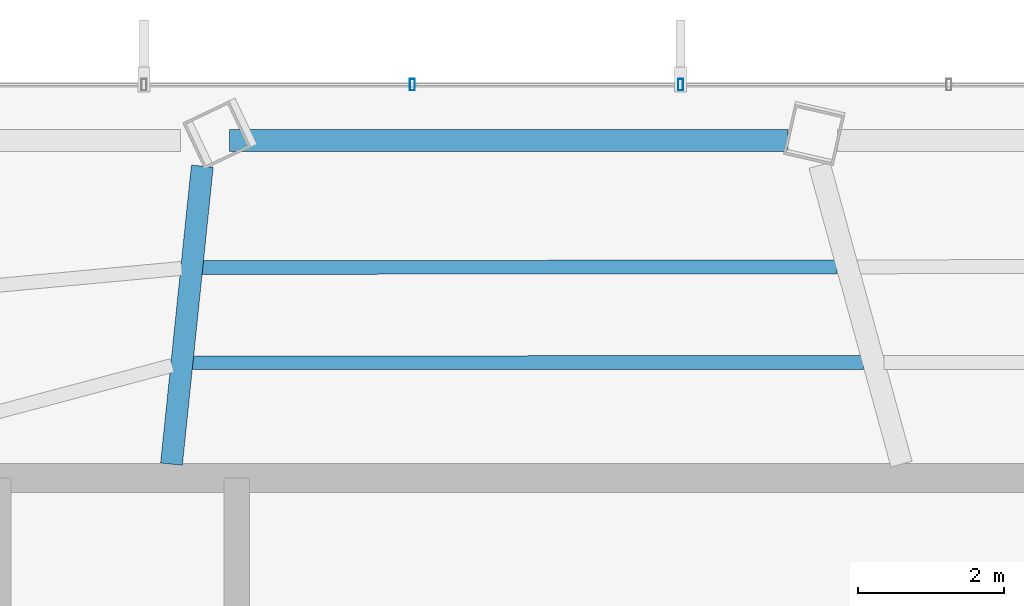
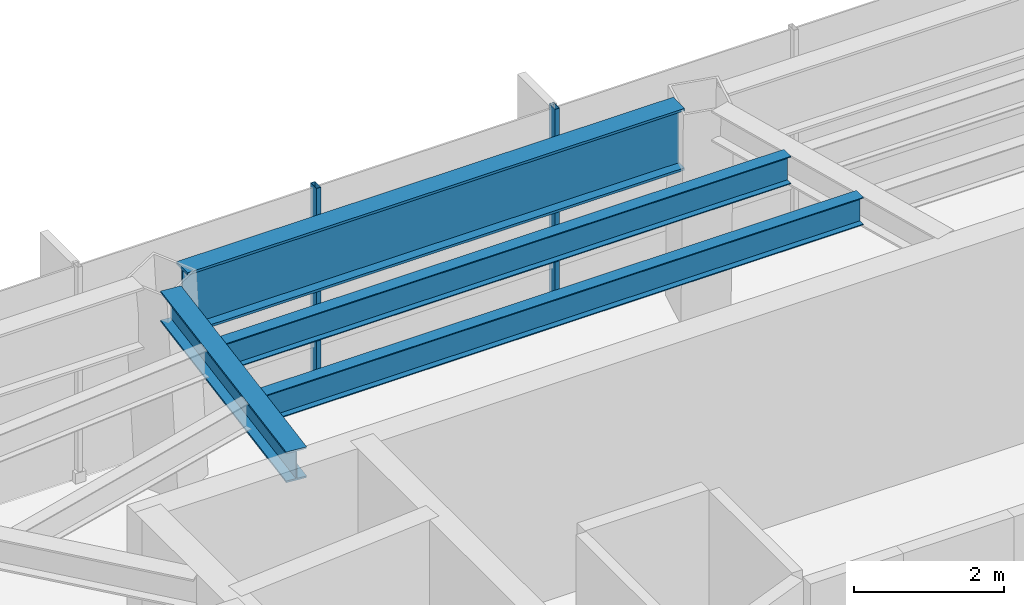
# One storey, part 13 of 27: 4 beams, 2 members, 1 element without a shape of its own.
"""IFC4 building model written with IfcOpenShell, lengths in metres."""

from ifc_helpers import new_model, si_unit, direction, frame, origin, origin_2d, place, context, subcontext, project, spatial, hollow_rectangle, i_section, extrude, material, layer, layer_set, material_profile, profile_set, type_object, element, aggregate, save


model = new_model("IFC4")

# Units and contexts
model_context = context("Model", 3, precision=1e-05, world=origin(), true_north=direction((0.0, 1.0)))
body_context = subcontext(model_context, "Body", "Model", "MODEL_VIEW")
ifc_project = project(units=[si_unit("LENGTHUNIT", "METRE"), si_unit("AREAUNIT", "SQUARE_METRE"), si_unit("VOLUMEUNIT", "CUBIC_METRE"), si_unit("PLANEANGLEUNIT", "RADIAN"), si_unit("MASSUNIT", "GRAM", prefix="KILO")], contexts=[model_context])

# Site, building, storey
site_placement = place(None, origin())
site = spatial("IfcSite", under=ifc_project, at=site_placement, CompositionType="ELEMENT")
building_placement = place(site_placement, origin())
building = spatial("IfcBuilding", under=site, at=building_placement, Name="Zarrinselat Tower", CompositionType="ELEMENT")
storey_placement = place(building_placement, frame((0.0, 0.0, 172.0400390625)))
storey = spatial("IfcBuildingStorey", under=building, at=storey_placement, Name="L42", CompositionType="ELEMENT", Elevation=172.0400390625)

# Beams
ifc_material_1 = material(Name="Steel S355J2", Category="steel")
ifc_material_profile_1 = material_profile(ifc_material_1, i_section(OverallWidth=0.300048828125, OverallDepth=0.5, WebThickness=0.014404296875, FlangeThickness=0.028076171875, at=origin_2d()), Name="HEB 500")
ifc_profile_set_1 = profile_set([ifc_material_profile_1], Name="Steel S355J2")
beam_type_1 = type_object("IfcBeamType", Name="BM-HEB500", PredefinedType="BEAM", material=ifc_profile_set_1)
beam_1_placement = place(storey_placement, frame((31.0, 43.639892578125, 3.25), z_axis=(0.102913358087, 0.994690324034, 0.0), x_axis=(-0.994690324034, 0.102913358087, 0.0)))
element("IfcBeam", 1, at=beam_1_placement, inside=storey, type_object=beam_type_1, Name="L42 Radial Primary Girder RG04", PredefinedType="BEAM", context=body_context, shape_type="SweptSolid", body=[
    extrude(i_section(OverallWidth=0.300048828125, OverallDepth=0.5, WebThickness=0.014404296875, FlangeThickness=0.028076171875, at=origin_2d()), origin(), (0.0, 0.0, 1.0), 4.10400390625),
])
ifc_material_2 = material(Name="Steel S460M", Category="steel")
ifc_material_profile_2 = material_profile(ifc_material_2, i_section(OverallWidth=0.302001953125, OverallDepth=1.008056640625, WebThickness=0.02099609375, FlangeThickness=0.0400390625, at=origin_2d()), Name="HEM 1000")
ifc_profile_set_2 = profile_set([ifc_material_profile_2], Name="Steel S460M")
beam_type_2 = type_object("IfcBeamType", Name="BM-HEM1000", PredefinedType="BEAM", material=ifc_profile_set_2)
beam_2_placement = place(storey_placement, frame((31.796630859375, 48.072265625, 2.995849609375), z_axis=(1.0, 0.0, 0.0), x_axis=(0.0, 1.0, 0.0)))
element("IfcBeam", 2, at=beam_2_placement, inside=storey, type_object=beam_type_2, Name="L42 Perimeter Spandrel Girder SP03", PredefinedType="BEAM", context=body_context, shape_type="SweptSolid", body=[
    extrude(i_section(OverallWidth=0.302001953125, OverallDepth=1.008056640625, WebThickness=0.02099609375, FlangeThickness=0.0400390625, at=origin_2d()), origin(), (0.0, 0.0, 1.0), 7.649658203125),
])
ifc_material_3 = material(Name="Steel S355J2", Category="steel")
ifc_material_profile_3 = material_profile(ifc_material_3, i_section(OverallWidth=0.18994140625, OverallDepth=0.449951171875, WebThickness=0.009521484375, FlangeThickness=0.0146484375, at=origin_2d()), Name="IPE 450")
ifc_profile_set_3 = profile_set([ifc_material_profile_3], Name="Steel S355J2")
beam_type_3 = type_object("IfcBeamType", Name="BM-IPE450", PredefinedType="JOIST", material=ifc_profile_set_3)
beam_3_placement = place(storey_placement, frame((31.418701171875, 46.334228515625, 3.27490234375), z_axis=(0.999999691338, 0.000785700013, 0.0), x_axis=(-0.000785700013, 0.999999691338, 0.0)))
element("IfcBeam", 3, at=beam_3_placement, inside=storey, type_object=beam_type_3, Name="L42 Composite Floor Joist 8-1", PredefinedType="JOIST", context=body_context, shape_type="SweptSolid", body=[
    extrude(i_section(OverallWidth=0.18994140625, OverallDepth=0.449951171875, WebThickness=0.009521484375, FlangeThickness=0.0146484375, at=origin_2d()), origin(), (0.0, 0.0, 1.0), 8.700439453125),
])
beam_4_placement = place(storey_placement, frame((31.28369140625, 45.028076171875, 3.27490234375), z_axis=(0.999999930909, 0.000371727445, 0.0), x_axis=(-0.000371727445, 0.999999930909, 0.0)))
element("IfcBeam", 4, at=beam_4_placement, inside=storey, type_object=beam_type_3, Name="L42 Composite Floor Joist 8-2", PredefinedType="JOIST", context=body_context, shape_type="SweptSolid", body=[
    extrude(i_section(OverallWidth=0.18994140625, OverallDepth=0.449951171875, WebThickness=0.009521484375, FlangeThickness=0.0146484375, at=origin_2d()), origin(), (0.0, 0.0, 1.0), 9.19482421875),
])

# Curtain wall, members
ifc_material_4 = material(Name="Extruded Aluminium Alloy EN AW-6063 T6", Category="aluminium")
ifc_layer = layer(ifc_material_4, 0.175048828125)
ifc_layer_set = layer_set([ifc_layer], Name="Extruded Aluminium Alloy EN AW-6063 T6")
curtain_wall_type = type_object("IfcCurtainWallType", Name="CWS-HTL", PredefinedType="NOTDEFINED", material=ifc_layer_set)
curtain_wall_placement = place(storey_placement, origin())
curtain_wall = element("IfcCurtainWall", 5, at=curtain_wall_placement, inside=storey, type_object=curtain_wall_type, Name="L42 Unitised Curtain Wall CW-L42-E01", PredefinedType="NOTDEFINED")
ifc_material_5 = material(Name="Extruded Aluminium Alloy EN AW-6063 T6", Category="aluminium")
ifc_material_profile_4 = material_profile(ifc_material_5, hollow_rectangle(XDim=0.070068359375, YDim=0.159912109375, WallThickness=0.00390625, at=origin_2d()), Name="RHS 160x70x4")
ifc_profile_set_4 = profile_set([ifc_material_profile_4], Name="Extruded Aluminium Alloy EN AW-6063 T6")
member_type = type_object("IfcMemberType", Name="MEM-CW-MUL2", PredefinedType="MULLION", material=ifc_profile_set_4)
member_1_placement = place(storey_placement, frame((37.973876953125, 48.8388671875, 0.0), z_axis=(0.0, 0.0, 1.0), x_axis=(-1.0, 0.0, 0.0)))
member_1 = element("IfcMember", 6, at=member_1_placement, type_object=member_type, Name="CW-L42-E01 Mullion 7", PredefinedType="MULLION", context=body_context, shape_type="SweptSolid", body=[
    extrude(hollow_rectangle(XDim=0.070068359375, YDim=0.159912109375, WallThickness=0.00390625, at=origin_2d()), origin(), (0.0, 0.0, 1.0), 3.5),
])
member_2_placement = place(storey_placement, frame((34.29931640625, 48.8388671875, 0.0), z_axis=(0.0, 0.0, 1.0), x_axis=(-1.0, 0.0, 0.0)))
member_2 = element("IfcMember", 7, at=member_2_placement, type_object=member_type, Name="CW-L42-E01 Mullion 8", PredefinedType="MULLION", context=body_context, shape_type="SweptSolid", body=[
    extrude(hollow_rectangle(XDim=0.070068359375, YDim=0.159912109375, WallThickness=0.00390625, at=origin_2d()), origin(), (0.0, 0.0, 1.0), 3.5),
])
aggregate(curtain_wall, [member_1, member_2])

save(model, "model.ifc")
